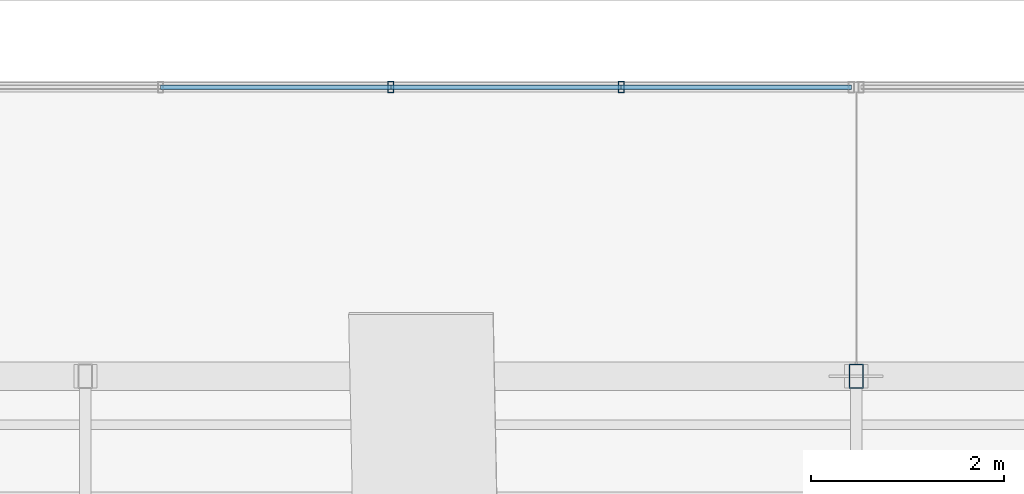
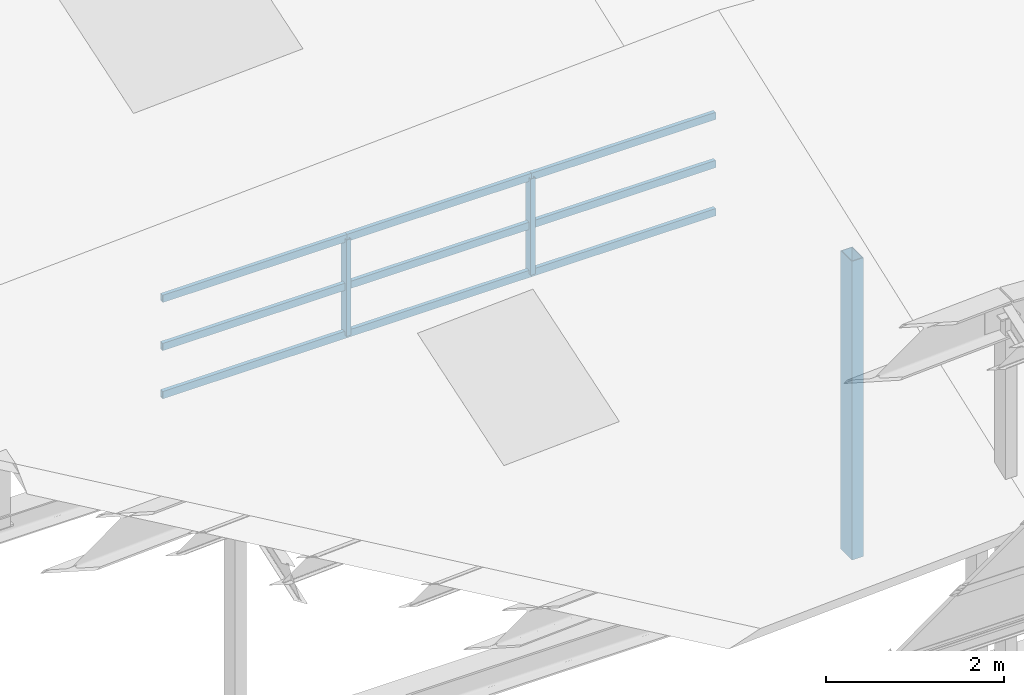
# One storey, part 22 of 141: 12 members, 1 element without a shape of its own.
"""IFC4 building model written with IfcOpenShell, lengths in metres."""

from ifc_helpers import new_model, si_unit, direction, frame, origin, origin_2d, place, context, subcontext, project, spatial, hollow_rectangle, extrude, material, material_profile, profile_set, type_object, element, aggregate, save


model = new_model("IFC4")

# Units and contexts
model_context = context("Model", 3, precision=1e-05, world=origin(), true_north=direction((0.0, 1.0)))
body_context = subcontext(model_context, "Body", "Model", "MODEL_VIEW")
ifc_project = project(units=[si_unit("LENGTHUNIT", "METRE"), si_unit("AREAUNIT", "SQUARE_METRE"), si_unit("VOLUMEUNIT", "CUBIC_METRE"), si_unit("PLANEANGLEUNIT", "RADIAN"), si_unit("MASSUNIT", "GRAM", prefix="KILO")], contexts=[model_context])

# Site, building, storey
site_placement = place(None, origin())
site = spatial("IfcSite", under=ifc_project, at=site_placement, CompositionType="ELEMENT")
building_placement = place(site_placement, origin())
building = spatial("IfcBuilding", under=site, at=building_placement, Name="Sundkrona Museum", CompositionType="ELEMENT")
storey_placement = place(building_placement, frame((0.0, 0.0, 34.0)))
storey = spatial("IfcBuildingStorey", under=building, at=storey_placement, Name="RF", CompositionType="ELEMENT", Elevation=34.0)

# Curtain wall, members
ifc_material_1 = material(Name="Unitised Aluminium-Steel and Ceramic-Clad Curtain Walling", Category="steel")
curtain_wall_type = type_object("IfcCurtainWallType", Name="CW-SW-240x13", PredefinedType="NOTDEFINED", material=ifc_material_1)
curtain_wall_placement = place(storey_placement, origin())
curtain_wall = element("IfcCurtainWall", 1, at=curtain_wall_placement, inside=storey, type_object=curtain_wall_type, Name="Sawtooth Bay 2 West North-Light Clerestory", PredefinedType="NOTDEFINED")
ifc_material_2 = material(Name="Aluminium EN AW-6060 T66", Category="aluminium")
ifc_material_profile_1 = material_profile(ifc_material_2, hollow_rectangle(XDim=0.06005859375, YDim=0.1201171875, WallThickness=0.0048828125, at=origin_2d()), Name="RHS 120x60x5.0")
ifc_profile_set_1 = profile_set([ifc_material_profile_1], Name="Aluminium EN AW-6060 T66")
member_type_1 = type_object("IfcMemberType", Name="ML-120", PredefinedType="MULLION", material=ifc_profile_set_1)
member_1_placement = place(storey_placement, frame((139.169921875, 10.300048828125, 2.633056640625), z_axis=(0.0, 0.0, 1.0), x_axis=(1.0, 0.0, 0.0)))
member_1 = element("IfcMember", 2, at=member_1_placement, type_object=member_type_1, Name="CW-RF-SAW-02W Mullion 09", PredefinedType="MULLION", context=body_context, shape_type="SweptSolid", body=[
    extrude(hollow_rectangle(XDim=0.06005859375, YDim=0.1201171875, WallThickness=0.0048828125, at=origin_2d()), origin(), (0.0, 0.0, 1.0), 1.31982421875),
])
member_2_placement = place(storey_placement, frame((141.56005859375, 10.300048828125, 2.633056640625), z_axis=(0.0, 0.0, 1.0), x_axis=(1.0, 0.0, 0.0)))
member_2 = element("IfcMember", 3, at=member_2_placement, type_object=member_type_1, Name="CW-RF-SAW-02W Mullion 10", PredefinedType="MULLION", context=body_context, shape_type="SweptSolid", body=[
    extrude(hollow_rectangle(XDim=0.06005859375, YDim=0.1201171875, WallThickness=0.0048828125, at=origin_2d()), origin(), (0.0, 0.0, 1.0), 1.31982421875),
])

# Member
ifc_material_3 = material(Name="Steel S355J2", Category="steel")
ifc_material_profile_2 = material_profile(ifc_material_3, hollow_rectangle(XDim=0.14990234375, YDim=0.25, WallThickness=0.010009765625, at=origin_2d()), Name="RHS 250x150x10.0")
ifc_profile_set_2 = profile_set([ifc_material_profile_2], Name="Steel S355J2")
member_type_2 = type_object("IfcMemberType", Name="ST-RHS250", PredefinedType="STRUT", material=ifc_profile_set_2)
member_3_placement = place(storey_placement, frame((144.0, 7.300048828125, -0.25), z_axis=(0.0, 0.0, 1.0), x_axis=(1.0, 0.0, 0.0)))
element("IfcMember", 4, at=member_3_placement, inside=storey, type_object=member_type_2, Name="RFS-1 Sawtooth Truss 2 Vertical Post 4", PredefinedType="STRUT", context=body_context, shape_type="SweptSolid", body=[
    extrude(hollow_rectangle(XDim=0.14990234375, YDim=0.25, WallThickness=0.010009765625, at=origin_2d()), origin(), (0.0, 0.0, 1.0), 4.095703125),
])

ifc_material_profile_3 = material_profile(ifc_material_2, hollow_rectangle(XDim=0.050048828125, YDim=0.10009765625, WallThickness=0.0048828125, at=origin_2d()), Name="RHS 100x50x5.0")
ifc_profile_set_3 = profile_set([ifc_material_profile_3], Name="Aluminium EN AW-6060 T66")
member_type_3 = type_object("IfcMemberType", Name="TR-100", PredefinedType="USERDEFINED", material=ifc_profile_set_3)
member_4_placement = place(storey_placement, frame((136.780029296875, 10.300048828125, 2.633056640625), z_axis=(1.0, 0.0, 0.0), x_axis=(0.0, 1.0, 0.0)))
member_4 = element("IfcMember", 5, at=member_4_placement, type_object=member_type_3, Name="CW-RF-SAW-02W Transom 22", ObjectType="TRANSOM", PredefinedType="USERDEFINED", context=body_context, shape_type="SweptSolid", body=[
    extrude(hollow_rectangle(XDim=0.050048828125, YDim=0.10009765625, WallThickness=0.0048828125, at=origin_2d()), origin(), (0.0, 0.0, 1.0), 2.389892578125),
])

member_5_placement = place(storey_placement, frame((136.780029296875, 10.300048828125, 3.29296875), z_axis=(1.0, 0.0, 0.0), x_axis=(0.0, 1.0, 0.0)))
member_5 = element("IfcMember", 6, at=member_5_placement, type_object=member_type_3, Name="CW-RF-SAW-02W Transom 23", ObjectType="TRANSOM", PredefinedType="USERDEFINED", context=body_context, shape_type="SweptSolid", body=[
    extrude(hollow_rectangle(XDim=0.050048828125, YDim=0.10009765625, WallThickness=0.0048828125, at=origin_2d()), origin(), (0.0, 0.0, 1.0), 2.389892578125),
])

member_6_placement = place(storey_placement, frame((136.780029296875, 10.300048828125, 3.952880859375), z_axis=(1.0, 0.0, 0.0), x_axis=(0.0, 1.0, 0.0)))
member_6 = element("IfcMember", 7, at=member_6_placement, type_object=member_type_3, Name="CW-RF-SAW-02W Transom 24", ObjectType="TRANSOM", PredefinedType="USERDEFINED", context=body_context, shape_type="SweptSolid", body=[
    extrude(hollow_rectangle(XDim=0.050048828125, YDim=0.10009765625, WallThickness=0.0048828125, at=origin_2d()), origin(), (0.0, 0.0, 1.0), 2.389892578125),
])

member_7_placement = place(storey_placement, frame((139.169921875, 10.300048828125, 2.633056640625), z_axis=(1.0, 0.0, 0.0), x_axis=(0.0, 1.0, 0.0)))
member_7 = element("IfcMember", 8, at=member_7_placement, type_object=member_type_3, Name="CW-RF-SAW-02W Transom 25", ObjectType="TRANSOM", PredefinedType="USERDEFINED", context=body_context, shape_type="SweptSolid", body=[
    extrude(hollow_rectangle(XDim=0.050048828125, YDim=0.10009765625, WallThickness=0.0048828125, at=origin_2d()), origin(), (0.0, 0.0, 1.0), 2.39013671875),
])

member_8_placement = place(storey_placement, frame((139.169921875, 10.300048828125, 3.29296875), z_axis=(1.0, 0.0, 0.0), x_axis=(0.0, 1.0, 0.0)))
member_8 = element("IfcMember", 9, at=member_8_placement, type_object=member_type_3, Name="CW-RF-SAW-02W Transom 26", ObjectType="TRANSOM", PredefinedType="USERDEFINED", context=body_context, shape_type="SweptSolid", body=[
    extrude(hollow_rectangle(XDim=0.050048828125, YDim=0.10009765625, WallThickness=0.0048828125, at=origin_2d()), origin(), (0.0, 0.0, 1.0), 2.39013671875),
])

member_9_placement = place(storey_placement, frame((139.169921875, 10.300048828125, 3.952880859375), z_axis=(1.0, 0.0, 0.0), x_axis=(0.0, 1.0, 0.0)))
member_9 = element("IfcMember", 10, at=member_9_placement, type_object=member_type_3, Name="CW-RF-SAW-02W Transom 27", ObjectType="TRANSOM", PredefinedType="USERDEFINED", context=body_context, shape_type="SweptSolid", body=[
    extrude(hollow_rectangle(XDim=0.050048828125, YDim=0.10009765625, WallThickness=0.0048828125, at=origin_2d()), origin(), (0.0, 0.0, 1.0), 2.39013671875),
])

member_10_placement = place(storey_placement, frame((141.56005859375, 10.300048828125, 2.633056640625), z_axis=(1.0, 0.0, 0.0), x_axis=(0.0, 1.0, 0.0)))
member_10 = element("IfcMember", 11, at=member_10_placement, type_object=member_type_3, Name="CW-RF-SAW-02W Transom 28", ObjectType="TRANSOM", PredefinedType="USERDEFINED", context=body_context, shape_type="SweptSolid", body=[
    extrude(hollow_rectangle(XDim=0.050048828125, YDim=0.10009765625, WallThickness=0.0048828125, at=origin_2d()), origin(), (0.0, 0.0, 1.0), 2.389892578125),
])

member_11_placement = place(storey_placement, frame((141.56005859375, 10.300048828125, 3.29296875), z_axis=(1.0, 0.0, 0.0), x_axis=(0.0, 1.0, 0.0)))
member_11 = element("IfcMember", 12, at=member_11_placement, type_object=member_type_3, Name="CW-RF-SAW-02W Transom 29", ObjectType="TRANSOM", PredefinedType="USERDEFINED", context=body_context, shape_type="SweptSolid", body=[
    extrude(hollow_rectangle(XDim=0.050048828125, YDim=0.10009765625, WallThickness=0.0048828125, at=origin_2d()), origin(), (0.0, 0.0, 1.0), 2.389892578125),
])

member_12_placement = place(storey_placement, frame((141.56005859375, 10.300048828125, 3.952880859375), z_axis=(1.0, 0.0, 0.0), x_axis=(0.0, 1.0, 0.0)))
member_12 = element("IfcMember", 13, at=member_12_placement, type_object=member_type_3, Name="CW-RF-SAW-02W Transom 30", ObjectType="TRANSOM", PredefinedType="USERDEFINED", context=body_context, shape_type="SweptSolid", body=[
    extrude(hollow_rectangle(XDim=0.050048828125, YDim=0.10009765625, WallThickness=0.0048828125, at=origin_2d()), origin(), (0.0, 0.0, 1.0), 2.389892578125),
])

aggregate(curtain_wall, [member_1, member_2, member_4, member_5, member_6, member_7, member_8, member_9, member_10, member_11, member_12])

save(model, "model.ifc")
